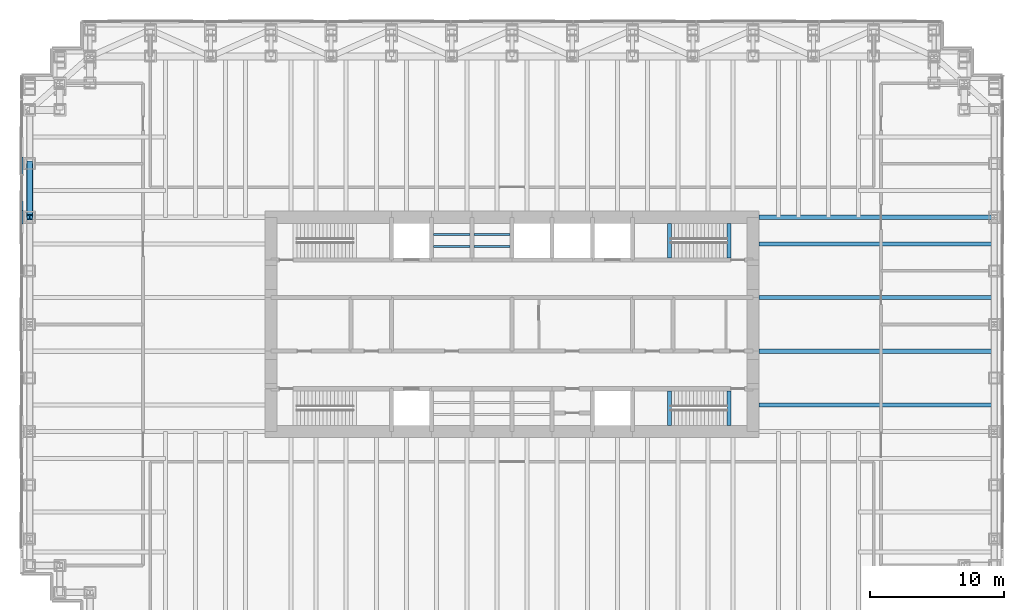
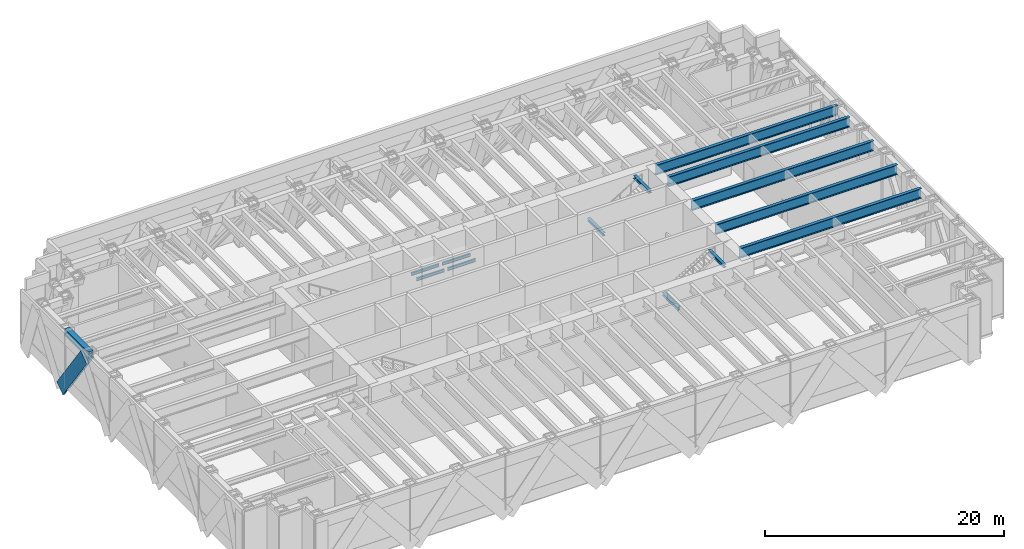
# One storey, part 5 of 16: 14 beams, 2 members, 1 element without a shape of its own.
"""IFC4 building model written with IfcOpenShell, lengths in metres."""

from ifc_helpers import new_model, si_unit, direction, frame, origin, origin_2d, place, context, subcontext, project, spatial, rectangle, hollow_rectangle, i_section, extrude, material, material_profile, profile_set, type_object, element, aggregate, save


model = new_model("IFC4")

# Units and contexts
model_context = context("Model", 3, precision=1e-05, world=origin(), true_north=direction((0.0, 1.0)))
body_context = subcontext(model_context, "Body", "Model", "MODEL_VIEW")
ifc_project = project(units=[si_unit("LENGTHUNIT", "METRE"), si_unit("AREAUNIT", "SQUARE_METRE"), si_unit("VOLUMEUNIT", "CUBIC_METRE"), si_unit("PLANEANGLEUNIT", "RADIAN"), si_unit("MASSUNIT", "GRAM", prefix="KILO")], contexts=[model_context])

# Site, building, storey
site_placement = place(None, origin())
site = spatial("IfcSite", under=ifc_project, at=site_placement, CompositionType="ELEMENT")
building_placement = place(site_placement, origin())
building = spatial("IfcBuilding", under=site, at=building_placement, Name="Rheinbord Bourse Tower", CompositionType="ELEMENT")
storey_placement = place(building_placement, frame((0.0, 0.0, 180.300048828125)))
storey = spatial("IfcBuildingStorey", under=building, at=storey_placement, Name="L40", CompositionType="ELEMENT", Elevation=180.300048828125)

# Beam
ifc_material_1 = material(Name="Steel S460M", Category="steel")
ifc_material_profile_1 = material_profile(ifc_material_1, hollow_rectangle(XDim=0.5, YDim=0.699951171875, WallThickness=0.0400390625, at=origin_2d()), Name="BOX 700x500x40")
ifc_profile_set_1 = profile_set([ifc_material_profile_1], Name="Steel S460M")
beam_type_1 = type_object("IfcBeamType", Name="BELT CHORD BOX 700x500x40", PredefinedType="SPANDREL", material=ifc_profile_set_1)
beam_1_placement = place(storey_placement, frame((0.0, 36.0, 4.989990234375), z_axis=(0.0, -1.0, 0.0), x_axis=(1.0, 0.0, 0.0)))
element("IfcBeam", 1, at=beam_1_placement, inside=storey, type_object=beam_type_1, Name="Spandrel W-36-W-32 under L41", PredefinedType="SPANDREL", context=body_context, shape_type="SweptSolid", body=[
    extrude(hollow_rectangle(XDim=0.5, YDim=0.699951171875, WallThickness=0.0400390625, at=origin_2d()), origin(), (0.0, 0.0, 1.0), 4.0),
])

# Member
ifc_material_2 = material(Name="Steel S460", Category="steel")
ifc_material_profile_2 = material_profile(ifc_material_2, i_section(OverallWidth=0.431884765625, OverallDepth=0.498046875, WebThickness=0.0556640625, FlangeThickness=0.0888671875, at=origin_2d()), Name="HD 400x744")
ifc_profile_set_2 = profile_set([ifc_material_profile_2], Name="Steel S460")
member_type_1 = type_object("IfcMemberType", Name="BELT DIAGONAL HD 400x744", PredefinedType="STRUT", material=ifc_profile_set_2)
member_1_placement = place(storey_placement, frame((0.0, 36.0, -0.60009765625), z_axis=(0.0, -0.581920023079, 0.813246018582), x_axis=(1.0, 0.0, 0.0)))
element("IfcMember", 2, at=member_1_placement, inside=storey, type_object=member_type_1, Name="Belt truss diagonal W-36-W-32 L40", PredefinedType="STRUT", context=body_context, shape_type="SweptSolid", body=[
    extrude(i_section(OverallWidth=0.431884765625, OverallDepth=0.498046875, WebThickness=0.0556640625, FlangeThickness=0.0888671875, at=origin_2d()), origin(), (0.0, 0.0, 1.0), 6.873779296875),
])

# Curtain wall, member
ifc_material_3 = material(Name="Dark glass and black aluminium", Category="aluminium")
curtain_wall_type = type_object("IfcCurtainWallType", Name="CW5 DARK GLASS CURTAIN WALL", PredefinedType="USERDEFINED", material=ifc_material_3)
curtain_wall_placement = place(storey_placement, origin())
curtain_wall = element("IfcCurtainWall", 3, at=curtain_wall_placement, inside=storey, type_object=curtain_wall_type, Name="Curtain wall CW5 W L40", ObjectType="UNITISED CURTAIN WALL", PredefinedType="USERDEFINED")
ifc_material_4 = material(Name="Black anodised aluminium", Category="aluminium")
ifc_material_profile_3 = material_profile(ifc_material_4, rectangle(XDim=0.199951171875, YDim=1.259033203125, at=origin_2d()), Name="CW5 DIAGONAL MULLION 1259x200")
ifc_profile_set_3 = profile_set([ifc_material_profile_3], Name="Black anodised aluminium")
member_type_2 = type_object("IfcMemberType", Name="CW5 BLACK DIAGONAL MULLION", PredefinedType="USERDEFINED", material=ifc_profile_set_3)
member_2_placement = place(storey_placement, frame((-0.60009765625, 36.0, -0.60009765625), z_axis=(0.0, -0.581920023079, 0.813246018582), x_axis=(1.0, 0.0, 0.0)))
member_2 = element("IfcMember", 4, at=member_2_placement, type_object=member_type_2, Name="CW5 diagonal mullion belt W-36", ObjectType="DIAGONAL MULLION", PredefinedType="USERDEFINED", context=body_context, shape_type="SweptSolid", body=[
    extrude(rectangle(XDim=0.199951171875, YDim=1.259033203125, at=origin_2d()), origin(), (0.0, 0.0, 1.0), 6.873779296875),
])
aggregate(curtain_wall, [member_2])

# Beams
ifc_material_5 = material(Name="Steel S460", Category="steel")
ifc_material_profile_4 = material_profile(ifc_material_5, i_section(OverallWidth=0.302001953125, OverallDepth=1.008056640625, WebThickness=0.02099609375, FlangeThickness=0.0400390625, at=origin_2d()), Name="HEM 1000")
ifc_profile_set_4 = profile_set([ifc_material_profile_4], Name="Steel S460")
beam_type_2 = type_object("IfcBeamType", Name="END BEAM HEM 1000", PredefinedType="BEAM", material=ifc_profile_set_4)
for number, where, z_axis, x_axis, name in (
    (5, (54.449951171875, 18.0, 4.8359375), (1.0, 0.0, 0.0), (0.0, 1.0, 0.0), "End beam east 18 L41"),
    (6, (54.449951171875, 22.0, 4.8359375), (1.0, 0.0, 0.0), (0.0, 1.0, 0.0), "End beam east 22 L41"),
    (7, (54.449951171875, 26.0, 4.8359375), (1.0, 0.0, 0.0), (0.0, 1.0, 0.0), "End beam east 26 L41"),
    (8, (54.449951171875, 30.0, 4.8359375), (1.0, 0.0, 0.0), (0.0, 1.0, 0.0), "End beam east 30 L41"),
):
    element("IfcBeam", number, at=place(storey_placement, frame(where, z_axis=z_axis, x_axis=x_axis)), inside=storey, type_object=beam_type_2, Name=name, PredefinedType="BEAM", context=body_context, shape_type="SweptSolid", body=[
        extrude(i_section(OverallWidth=0.302001953125, OverallDepth=1.008056640625, WebThickness=0.02099609375, FlangeThickness=0.0400390625, at=origin_2d()), origin(), (0.0, 0.0, 1.0), 17.550048828125),
    ])
ifc_material_6 = material(Name="Steel S460", Category="steel")
ifc_material_profile_5 = material_profile(ifc_material_6, i_section(OverallWidth=0.302001953125, OverallDepth=1.008056640625, WebThickness=0.02099609375, FlangeThickness=0.0400390625, at=origin_2d()), Name="HEM 1000")
ifc_profile_set_5 = profile_set([ifc_material_profile_5], Name="Steel S460")
beam_type_3 = type_object("IfcBeamType", Name="GIRDER HEM 1000", PredefinedType="BEAM", material=ifc_profile_set_5)
beam_2_placement = place(storey_placement, frame((54.449951171875, 32.0, 4.8359375), z_axis=(1.0, 0.0, 0.0), x_axis=(0.0, 1.0, 0.0)))
element("IfcBeam", 9, at=beam_2_placement, inside=storey, type_object=beam_type_3, Name="Girder east 32 L41", PredefinedType="BEAM", context=body_context, shape_type="SweptSolid", body=[
    extrude(i_section(OverallWidth=0.302001953125, OverallDepth=1.008056640625, WebThickness=0.02099609375, FlangeThickness=0.0400390625, at=origin_2d()), origin(), (0.0, 0.0, 1.0), 17.550048828125),
])
ifc_material_7 = material(Name="Steel S460", Category="steel")
ifc_material_profile_6 = material_profile(ifc_material_7, i_section(OverallWidth=0.300048828125, OverallDepth=0.300048828125, WebThickness=0.010986328125, FlangeThickness=0.01904296875, at=origin_2d()), Name="HEB 300")
ifc_profile_set_6 = profile_set([ifc_material_profile_6], Name="Steel S460")
beam_type_4 = type_object("IfcBeamType", Name="LANDING TRIMMER HEB 300", PredefinedType="BEAM", material=ifc_profile_set_6)
for number, where, z_axis, x_axis, name in (
    (10, (47.75, 16.449951171875, 2.39990234375), (0.0, 1.0, 0.0), (-1.0, 0.0, 0.0), "Landing trimmer ST3 L40"),
    (11, (52.199951171875, 16.449951171875, 5.18994140625), (0.0, 1.0, 0.0), (-1.0, 0.0, 0.0), "Well trimmer ST3 under L41"),
    (12, (47.75, 28.949951171875, 2.39990234375), (0.0, 1.0, 0.0), (-1.0, 0.0, 0.0), "Landing trimmer ST4 L40"),
    (13, (52.199951171875, 28.949951171875, 5.18994140625), (0.0, 1.0, 0.0), (-1.0, 0.0, 0.0), "Well trimmer ST4 under L41"),
):
    element("IfcBeam", number, at=place(storey_placement, frame(where, z_axis=z_axis, x_axis=x_axis)), inside=storey, type_object=beam_type_4, Name=name, PredefinedType="BEAM", context=body_context, shape_type="SweptSolid", body=[
        extrude(i_section(OverallWidth=0.300048828125, OverallDepth=0.300048828125, WebThickness=0.010986328125, FlangeThickness=0.01904296875, at=origin_2d()), origin(), (0.0, 0.0, 1.0), 2.60009765625),
    ])
ifc_material_8 = material(Name="Steel S460", Category="steel")
ifc_material_profile_7 = material_profile(ifc_material_8, i_section(OverallWidth=0.14990234375, OverallDepth=0.300048828125, WebThickness=0.007080078125, FlangeThickness=0.0107421875, at=origin_2d()), Name="IPE 300")
ifc_profile_set_7 = profile_set([ifc_material_profile_7], Name="Steel S460")
beam_type_5 = type_object("IfcBeamType", Name="PIT BEAM IPE 300", PredefinedType="BEAM", material=ifc_profile_set_7)
for number, where, z_axis, x_axis, name in (
    (14, (30.14990234375, 29.8330078125, 3.449951171875), (1.0, 0.0, 0.0), (0.0, 1.0, 0.0), "Pit beam 1 PC4"),
    (15, (30.14990234375, 30.717041015625, 3.449951171875), (1.0, 0.0, 0.0), (0.0, 1.0, 0.0), "Pit beam 2 PC4"),
    (16, (33.14990234375, 29.8330078125, 3.449951171875), (1.0, 0.0, 0.0), (0.0, 1.0, 0.0), "Pit beam 1 PC5"),
    (17, (33.14990234375, 30.717041015625, 3.449951171875), (1.0, 0.0, 0.0), (0.0, 1.0, 0.0), "Pit beam 2 PC5"),
):
    element("IfcBeam", number, at=place(storey_placement, frame(where, z_axis=z_axis, x_axis=x_axis)), inside=storey, type_object=beam_type_5, Name=name, PredefinedType="BEAM", context=body_context, shape_type="SweptSolid", body=[
        extrude(i_section(OverallWidth=0.14990234375, OverallDepth=0.300048828125, WebThickness=0.007080078125, FlangeThickness=0.0107421875, at=origin_2d()), origin(), (0.0, 0.0, 1.0), 2.7001953125),
    ])

save(model, "model.ifc")
